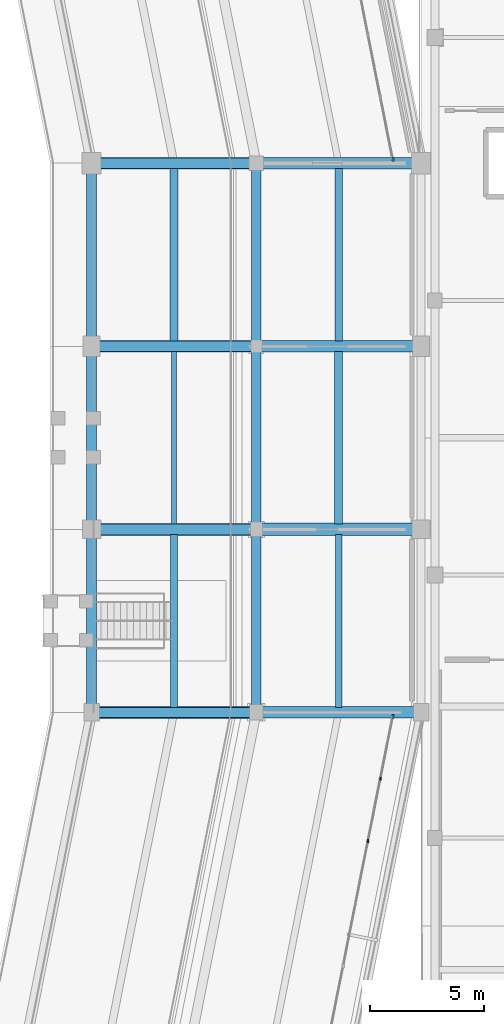
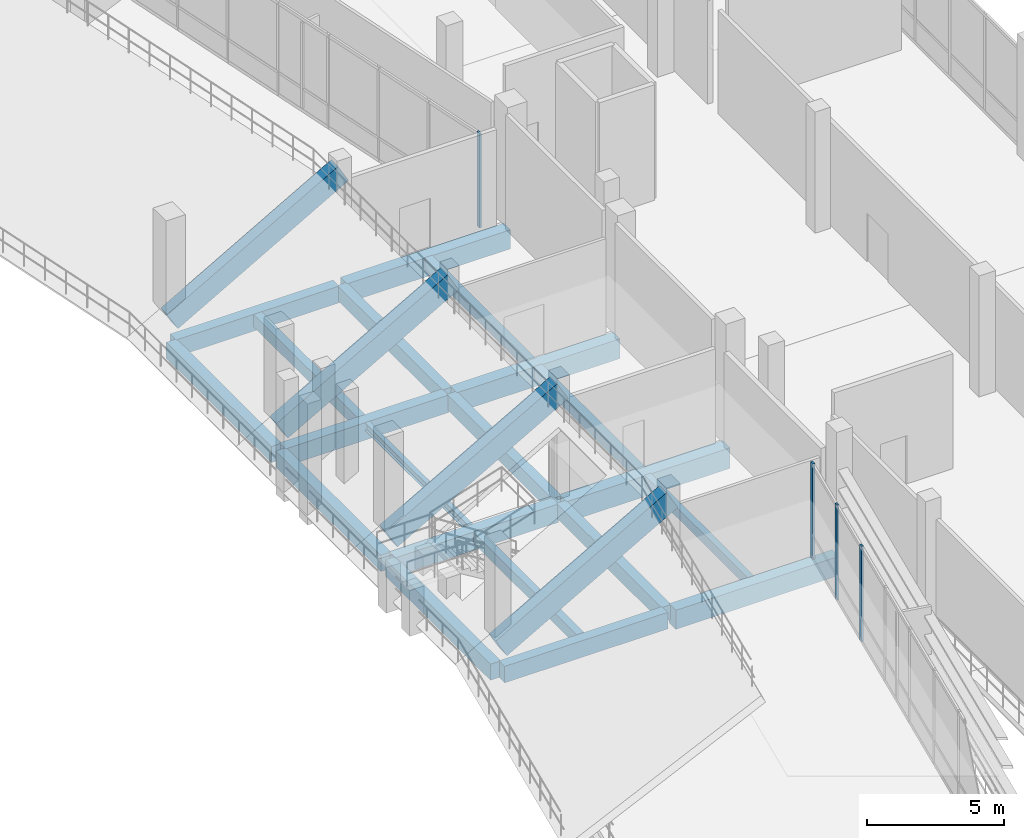
# One storey, part 41 of 127: 24 beams, 4 members, 2 elements without a shape of their own.
"""IFC4 building model written with IfcOpenShell, lengths in metres."""

from ifc_helpers import new_model, si_unit, direction, frame, origin, origin_2d, place, context, subcontext, project, spatial, rectangle, i_section, extrude, material, material_profile, profile_set, type_object, element, aggregate, save


model = new_model("IFC4")

# Units and contexts
model_context = context("Model", 3, precision=1e-05, world=origin(), true_north=direction((0.0, 1.0)))
body_context = subcontext(model_context, "Body", "Model", "MODEL_VIEW")
ifc_project = project(units=[si_unit("LENGTHUNIT", "METRE"), si_unit("AREAUNIT", "SQUARE_METRE"), si_unit("VOLUMEUNIT", "CUBIC_METRE"), si_unit("PLANEANGLEUNIT", "RADIAN"), si_unit("MASSUNIT", "GRAM", prefix="KILO")], contexts=[model_context])

# Site, building, storey
site_placement = place(None, origin())
site = spatial("IfcSite", under=ifc_project, at=site_placement, CompositionType="ELEMENT")
building_placement = place(site_placement, origin())
building = spatial("IfcBuilding", under=site, at=building_placement, Name="Candeia Ridge Stadium", CompositionType="ELEMENT")
storey_placement = place(building_placement, frame((0.0, 0.0, 10.800048828125)))
storey = spatial("IfcBuildingStorey", under=building, at=storey_placement, Name="L02", CompositionType="ELEMENT", Elevation=10.800048828125)

# Beams
ifc_material_1 = material(Name="Concrete C45/55", Category="concrete")
ifc_material_profile_1 = material_profile(ifc_material_1, rectangle(XDim=0.449951171875, YDim=0.75, at=origin_2d()), Name="RC450x750", Category="concrete")
ifc_profile_set_1 = profile_set([ifc_material_profile_1], Name="Concrete C45/55")
beam_type_1 = type_object("IfcBeamType", Name="Bowl Radial Girder RC450x750", PredefinedType="BEAM", material=ifc_profile_set_1)
beam_1_placement = place(storey_placement, frame((178.760009765625, 95.0, -0.635009765625), z_axis=(1.0, 0.0, 0.0), x_axis=(0.0, 1.0, 0.0)))
element("IfcBeam", 1, at=beam_1_placement, inside=storey, type_object=beam_type_1, Name="Bowl radial girder BM-L02-0305", PredefinedType="BEAM", context=body_context, shape_type="SweptSolid", body=[
    extrude(rectangle(XDim=0.449951171875, YDim=0.75, at=origin_2d()), origin(), (0.0, 0.0, 1.0), 6.8798828125),
])
ifc_material_profile_2 = material_profile(ifc_material_1, rectangle(XDim=0.5, YDim=0.89990234375, at=origin_2d()), Name="RC500x900", Category="concrete")
ifc_profile_set_2 = profile_set([ifc_material_profile_2], Name="Concrete C45/55")
beam_type_2 = type_object("IfcBeamType", Name="Club Stand Raker Beam RC500x900", PredefinedType="USERDEFINED", material=ifc_profile_set_2)
beam_2_placement = place(storey_placement, frame((178.60009765625, 95.0, 0.624267578125), z_axis=(0.869244421404, 0.0, 0.494382580455), x_axis=(0.0, 1.0, 0.0)))
element("IfcBeam", 2, at=beam_2_placement, inside=storey, type_object=beam_type_2, Name="Stand T2 inclined concrete raker beam 33", ObjectType="RAKER", PredefinedType="USERDEFINED", context=body_context, shape_type="SweptSolid", body=[
    extrude(rectangle(XDim=0.5, YDim=0.89990234375, at=origin_2d()), origin(), (0.0, 0.0, 1.0), 8.282958984375),
])
ifc_material_2 = material(Name="Concrete C40/50", Category="concrete")
ifc_material_profile_3 = material_profile(ifc_material_2, rectangle(XDim=0.35009765625, YDim=0.550048828125, at=origin_2d()), Name="RC350x550", Category="concrete")
ifc_profile_set_3 = profile_set([ifc_material_profile_3], Name="Concrete C40/50")
beam_type_3 = type_object("IfcBeamType", Name="Concourse Concrete Joist RC350x550", PredefinedType="JOIST", material=ifc_profile_set_3)
beam_3_placement = place(storey_placement, frame((182.199951171875, 87.221923828125, -0.53515625), z_axis=(0.0, 1.0, 0.0), x_axis=(-1.0, 0.0, 0.0)))
element("IfcBeam", 3, at=beam_3_placement, inside=storey, type_object=beam_type_3, Name="Concourse secondary joist BM-L02-0460", PredefinedType="JOIST", context=body_context, shape_type="SweptSolid", body=[
    extrude(rectangle(XDim=0.35009765625, YDim=0.550048828125, at=origin_2d()), origin(), (0.0, 0.0, 1.0), 7.55615234375),
])
ifc_material_3 = material(Name="Steel ASTM A572 Grade 50", Category="steel")
ifc_material_profile_4 = material_profile(ifc_material_3, i_section(OverallWidth=0.205078125, OverallDepth=0.35400390625, WebThickness=0.009521484375, FlangeThickness=0.016845703125, FilletRadius=0.014892578125, at=origin_2d()), Name="W360x79", Category="steel")
ifc_profile_set_4 = profile_set([ifc_material_profile_4], Name="Steel ASTM A572 Grade 50")
beam_type_4 = type_object("IfcBeamType", Name="Concourse Secondary Joist W360x79", PredefinedType="JOIST", material=ifc_profile_set_4)
beam_4_placement = place(storey_placement, frame((182.199951171875, 79.221923828125, -0.43701171875), z_axis=(0.0, 1.0, 0.0), x_axis=(-1.0, 0.0, 0.0)))
element("IfcBeam", 4, at=beam_4_placement, inside=storey, type_object=beam_type_4, Name="Concourse secondary joist BM-L02-0455", PredefinedType="JOIST", context=body_context, shape_type="SweptSolid", body=[
    extrude(i_section(OverallWidth=0.205078125, OverallDepth=0.35400390625, WebThickness=0.009521484375, FlangeThickness=0.016845703125, FilletRadius=0.014892578125, at=origin_2d()), origin(), (0.0, 0.0, 1.0), 7.55615234375),
])

# Curtain wall, member
ifc_material_4 = material(Name="Aluminium Anodized Warm Bronze", Category="aluminium")
curtain_wall_type = type_object("IfcCurtainWallType", Name="Concourse Recessed Unitised Curtain Wall", PredefinedType="NOTDEFINED", material=ifc_material_4)
curtain_wall_1_placement = place(storey_placement, origin())
curtain_wall_1 = element("IfcCurtainWall", 5, at=curtain_wall_1_placement, inside=storey, type_object=curtain_wall_type, Name="Unitised curtain wall CW-BWL-L02-28", PredefinedType="NOTDEFINED")
ifc_material_profile_5 = material_profile(ifc_material_4, rectangle(XDim=0.090087890625, YDim=0.179931640625, at=origin_2d()), Name="CWM-90x180", Category="aluminium")
ifc_profile_set_5 = profile_set([ifc_material_profile_5], Name="Aluminium Anodized Warm Bronze")
member_type_1 = type_object("IfcMemberType", Name="Curtain Wall Primary Mullion 90x180", PredefinedType="MULLION", material=ifc_profile_set_5)
member_1_placement = place(storey_placement, frame((191.764892578125, 70.823486328125, 0.0), z_axis=(0.0, 0.0, 1.0), x_axis=(1.0, 0.0, 0.0)))
member_1 = element("IfcMember", 6, at=member_1_placement, type_object=member_type_1, Name="Curtain wall mullion CW-BWL-L02-28-M7", PredefinedType="MULLION", context=body_context, shape_type="SweptSolid", body=[
    extrude(rectangle(XDim=0.090087890625, YDim=0.179931640625, at=origin_2d()), origin(), (0.0, 0.0, 1.0), 4.2548828125),
])

curtain_wall_2_placement = place(storey_placement, origin())
curtain_wall_2 = element("IfcCurtainWall", 7, at=curtain_wall_2_placement, inside=storey, type_object=curtain_wall_type, Name="Unitised curtain wall CW-BWL-L02-32", PredefinedType="NOTDEFINED")
member_2_placement = place(storey_placement, frame((191.764892578125, 95.176513671875, 0.0), z_axis=(0.0, 0.0, 1.0), x_axis=(1.0, 0.0, 0.0)))
member_2 = element("IfcMember", 8, at=member_2_placement, type_object=member_type_1, Name="Curtain wall mullion CW-BWL-L02-32-M0", PredefinedType="MULLION", context=body_context, shape_type="SweptSolid", body=[
    extrude(rectangle(XDim=0.090087890625, YDim=0.179931640625, at=origin_2d()), origin(), (0.0, 0.0, 1.0), 4.21484375),
])
aggregate(curtain_wall_2, [member_2])

# Member
ifc_material_profile_6 = material_profile(ifc_material_4, rectangle(XDim=0.074951171875, YDim=0.14990234375, at=origin_2d()), Name="CWM-75x150", Category="aluminium")
ifc_profile_set_6 = profile_set([ifc_material_profile_6], Name="Aluminium Anodized Warm Bronze")
member_type_2 = type_object("IfcMemberType", Name="Curtain Wall Secondary Mullion 75x150", PredefinedType="MULLION", material=ifc_profile_set_6)
member_3_placement = place(storey_placement, frame((190.68017578125, 65.3701171875, 0.0), z_axis=(0.0, 0.0, 1.0), x_axis=(1.0, 0.0, 0.0)))
member_3 = element("IfcMember", 9, at=member_3_placement, type_object=member_type_2, Name="Curtain wall mullion CW-BWL-L02-28-M5", PredefinedType="MULLION", context=body_context, shape_type="SweptSolid", body=[
    extrude(rectangle(XDim=0.074951171875, YDim=0.14990234375, at=origin_2d()), origin(), (0.0, 0.0, 1.0), 4.2548828125),
])

member_4_placement = place(storey_placement, frame((191.222412109375, 68.0966796875, 0.0), z_axis=(0.0, 0.0, 1.0), x_axis=(1.0, 0.0, 0.0)))
member_4 = element("IfcMember", 10, at=member_4_placement, type_object=member_type_2, Name="Curtain wall mullion CW-BWL-L02-28-M6", PredefinedType="MULLION", context=body_context, shape_type="SweptSolid", body=[
    extrude(rectangle(XDim=0.074951171875, YDim=0.14990234375, at=origin_2d()), origin(), (0.0, 0.0, 1.0), 4.2548828125),
])

aggregate(curtain_wall_1, [member_3, member_4, member_1])

# Beams
ifc_material_profile_7 = material_profile(ifc_material_2, rectangle(XDim=0.27001953125, YDim=0.43994140625, at=origin_2d()), Name="RC270x440", Category="concrete")
ifc_profile_set_7 = profile_set([ifc_material_profile_7], Name="Concrete C40/50")
beam_type_5 = type_object("IfcBeamType", Name="Floor Joist RC270x440", PredefinedType="JOIST", material=ifc_profile_set_7)
beam_5_placement = place(storey_placement, frame((189.39990234375, 71.221923828125, -0.47998046875), z_axis=(0.0, 1.0, 0.0), x_axis=(-1.0, 0.0, 0.0)))
element("IfcBeam", 11, at=beam_5_placement, inside=storey, type_object=beam_type_5, Name="Concourse secondary joist BM-L02-0451", PredefinedType="JOIST", context=body_context, shape_type="SweptSolid", body=[
    extrude(rectangle(XDim=0.27001953125, YDim=0.43994140625, at=origin_2d()), origin(), (0.0, 0.0, 1.0), 7.55615234375),
])
ifc_material_profile_8 = material_profile(ifc_material_2, rectangle(XDim=0.31005859375, YDim=0.489990234375, at=origin_2d()), Name="RC310x490", Category="concrete")
ifc_profile_set_8 = profile_set([ifc_material_profile_8], Name="Concrete C40/50")
beam_type_6 = type_object("IfcBeamType", Name="Floor Joist RC310x490", PredefinedType="JOIST", material=ifc_profile_set_8)
beam_6_placement = place(storey_placement, frame((182.199951171875, 71.221923828125, -0.505126953125), z_axis=(0.0, 1.0, 0.0), x_axis=(-1.0, 0.0, 0.0)))
element("IfcBeam", 12, at=beam_6_placement, inside=storey, type_object=beam_type_6, Name="Concourse secondary joist BM-L02-0450", PredefinedType="JOIST", context=body_context, shape_type="SweptSolid", body=[
    extrude(rectangle(XDim=0.31005859375, YDim=0.489990234375, at=origin_2d()), origin(), (0.0, 0.0, 1.0), 7.55615234375),
])
ifc_material_profile_9 = material_profile(ifc_material_2, rectangle(XDim=0.320068359375, YDim=0.47998046875, at=origin_2d()), Name="RC320x480", Category="concrete")
ifc_profile_set_9 = profile_set([ifc_material_profile_9], Name="Concrete C40/50")
beam_type_7 = type_object("IfcBeamType", Name="Floor Joist RC320x480", PredefinedType="JOIST", material=ifc_profile_set_9)
beam_7_placement = place(storey_placement, frame((189.39990234375, 87.221923828125, -0.5), z_axis=(0.0, 1.0, 0.0), x_axis=(-1.0, 0.0, 0.0)))
element("IfcBeam", 13, at=beam_7_placement, inside=storey, type_object=beam_type_7, Name="Concourse secondary joist BM-L02-0461", PredefinedType="JOIST", context=body_context, shape_type="SweptSolid", body=[
    extrude(rectangle(XDim=0.320068359375, YDim=0.47998046875, at=origin_2d()), origin(), (0.0, 0.0, 1.0), 7.55615234375),
])
ifc_material_profile_10 = material_profile(ifc_material_2, rectangle(XDim=0.35009765625, YDim=0.5, at=origin_2d()), Name="RC350x500", Category="concrete")
ifc_profile_set_10 = profile_set([ifc_material_profile_10], Name="Concrete C40/50")
beam_type_8 = type_object("IfcBeamType", Name="Floor Joist RC350x500", PredefinedType="JOIST", material=ifc_profile_set_10)
beam_8_placement = place(storey_placement, frame((189.39990234375, 79.221923828125, -0.510009765625), z_axis=(0.0, 1.0, 0.0), x_axis=(-1.0, 0.0, 0.0)))
element("IfcBeam", 14, at=beam_8_placement, inside=storey, type_object=beam_type_8, Name="Concourse secondary joist BM-L02-0456", PredefinedType="JOIST", context=body_context, shape_type="SweptSolid", body=[
    extrude(rectangle(XDim=0.35009765625, YDim=0.5, at=origin_2d()), origin(), (0.0, 0.0, 1.0), 7.55615234375),
])
ifc_material_profile_11 = material_profile(ifc_material_2, rectangle(XDim=0.409912109375, YDim=0.659912109375, at=origin_2d()), Name="RC410x660", Category="concrete")
ifc_profile_set_11 = profile_set([ifc_material_profile_11], Name="Concrete C40/50")
beam_type_9 = type_object("IfcBeamType", Name="Frame Girder RC410x660", PredefinedType="BEAM", material=ifc_profile_set_11)
for number, where, z_axis, x_axis, name in (
    (15, (185.800048828125, 71.159912109375, -0.590087890625), (0.0, 1.0, 0.0), (-1.0, 0.0, 0.0), "Concourse spine girder BM-L02-0448"),
    (16, (185.800048828125, 79.159912109375, -0.590087890625), (0.0, 1.0, 0.0), (-1.0, 0.0, 0.0), "Concourse spine girder BM-L02-0453"),
    (17, (185.800048828125, 87.159912109375, -0.590087890625), (0.0, 1.0, 0.0), (-1.0, 0.0, 0.0), "Concourse spine girder BM-L02-0458"),
):
    element("IfcBeam", number, at=place(storey_placement, frame(where, z_axis=z_axis, x_axis=x_axis)), inside=storey, type_object=beam_type_9, Name=name, PredefinedType="BEAM", context=body_context, shape_type="SweptSolid", body=[
        extrude(rectangle(XDim=0.409912109375, YDim=0.659912109375, at=origin_2d()), origin(), (0.0, 0.0, 1.0), 7.68017578125),
    ])
ifc_material_profile_12 = material_profile(ifc_material_2, rectangle(XDim=0.429931640625, YDim=0.739990234375, at=origin_2d()), Name="RC430x740", Category="concrete")
ifc_profile_set_12 = profile_set([ifc_material_profile_12], Name="Concrete C40/50")
beam_type_10 = type_object("IfcBeamType", Name="Frame Girder RC430x740", PredefinedType="BEAM", material=ifc_profile_set_12)
beam_9_placement = place(storey_placement, frame((178.760009765625, 71.0, -0.630126953125), z_axis=(1.0, 0.0, 0.0), x_axis=(0.0, 1.0, 0.0)))
element("IfcBeam", 18, at=beam_9_placement, inside=storey, type_object=beam_type_10, Name="Bowl radial girder BM-L02-0299", PredefinedType="BEAM", context=body_context, shape_type="SweptSolid", body=[
    extrude(rectangle(XDim=0.429931640625, YDim=0.739990234375, at=origin_2d()), origin(), (0.0, 0.0, 1.0), 6.8798828125),
])
ifc_material_profile_13 = material_profile(ifc_material_2, rectangle(XDim=0.43994140625, YDim=0.719970703125, at=origin_2d()), Name="RC440x720", Category="concrete")
ifc_profile_set_13 = profile_set([ifc_material_profile_13], Name="Concrete C40/50")
beam_type_11 = type_object("IfcBeamType", Name="Frame Girder RC440x720", PredefinedType="BEAM", material=ifc_profile_set_13)
for number, where, z_axis, x_axis, name in (
    (19, (178.60009765625, 71.159912109375, -0.6201171875), (0.0, 1.0, 0.0), (-1.0, 0.0, 0.0), "Bowl inner ring girder BM-L02-0447"),
    (20, (178.60009765625, 79.159912109375, -0.6201171875), (0.0, 1.0, 0.0), (-1.0, 0.0, 0.0), "Bowl inner ring girder BM-L02-0452"),
    (21, (178.60009765625, 87.159912109375, -0.6201171875), (0.0, 1.0, 0.0), (-1.0, 0.0, 0.0), "Bowl inner ring girder BM-L02-0457"),
):
    element("IfcBeam", number, at=place(storey_placement, frame(where, z_axis=z_axis, x_axis=x_axis)), inside=storey, type_object=beam_type_11, Name=name, PredefinedType="BEAM", context=body_context, shape_type="SweptSolid", body=[
        extrude(rectangle(XDim=0.43994140625, YDim=0.719970703125, at=origin_2d()), origin(), (0.0, 0.0, 1.0), 7.68017578125),
    ])
ifc_material_profile_14 = material_profile(ifc_material_2, rectangle(XDim=0.4599609375, YDim=0.780029296875, at=origin_2d()), Name="RC460x780", Category="concrete")
ifc_profile_set_14 = profile_set([ifc_material_profile_14], Name="Concrete C40/50")
beam_type_12 = type_object("IfcBeamType", Name="Frame Girder RC460x780", PredefinedType="BEAM", material=ifc_profile_set_14)
beam_10_placement = place(storey_placement, frame((178.760009765625, 87.0, -0.650146484375), z_axis=(1.0, 0.0, 0.0), x_axis=(0.0, 1.0, 0.0)))
element("IfcBeam", 22, at=beam_10_placement, inside=storey, type_object=beam_type_12, Name="Bowl radial girder BM-L02-0303", PredefinedType="BEAM", context=body_context, shape_type="SweptSolid", body=[
    extrude(rectangle(XDim=0.4599609375, YDim=0.780029296875, at=origin_2d()), origin(), (0.0, 0.0, 1.0), 6.8798828125),
])
ifc_material_profile_15 = material_profile(ifc_material_1, rectangle(XDim=0.47998046875, YDim=0.820068359375, at=origin_2d()), Name="RC480x820", Category="concrete")
ifc_profile_set_15 = profile_set([ifc_material_profile_15], Name="Concrete C45/55")
beam_type_13 = type_object("IfcBeamType", Name="Frame Girder RC480x820", PredefinedType="BEAM", material=ifc_profile_set_15)
beam_11_placement = place(storey_placement, frame((178.760009765625, 79.0, -0.670166015625), z_axis=(1.0, 0.0, 0.0), x_axis=(0.0, 1.0, 0.0)))
element("IfcBeam", 23, at=beam_11_placement, inside=storey, type_object=beam_type_13, Name="Bowl radial girder BM-L02-0301", PredefinedType="BEAM", context=body_context, shape_type="SweptSolid", body=[
    extrude(rectangle(XDim=0.47998046875, YDim=0.820068359375, at=origin_2d()), origin(), (0.0, 0.0, 1.0), 6.8798828125),
])
ifc_material_profile_16 = material_profile(ifc_material_1, rectangle(XDim=0.5, YDim=0.85009765625, at=origin_2d()), Name="RC500x850", Category="concrete")
ifc_profile_set_16 = profile_set([ifc_material_profile_16], Name="Concrete C45/55")
beam_type_14 = type_object("IfcBeamType", Name="Frame Girder RC500x850", PredefinedType="BEAM", material=ifc_profile_set_16)
for number, where, z_axis, x_axis, name in (
    (24, (185.9599609375, 71.0, -0.68505859375), (1.0, 0.0, 0.0), (0.0, 1.0, 0.0), "Bowl radial girder BM-L02-0300"),
    (25, (185.9599609375, 95.0, -0.68505859375), (1.0, 0.0, 0.0), (0.0, 1.0, 0.0), "Bowl radial girder BM-L02-0306"),
):
    element("IfcBeam", number, at=place(storey_placement, frame(where, z_axis=z_axis, x_axis=x_axis)), inside=storey, type_object=beam_type_14, Name=name, PredefinedType="BEAM", context=body_context, shape_type="SweptSolid", body=[
        extrude(rectangle(XDim=0.5, YDim=0.85009765625, at=origin_2d()), origin(), (0.0, 0.0, 1.0), 6.880126953125),
    ])
ifc_material_profile_17 = material_profile(ifc_material_1, rectangle(XDim=0.52001953125, YDim=0.8798828125, at=origin_2d()), Name="RC520x880", Category="concrete")
ifc_profile_set_17 = profile_set([ifc_material_profile_17], Name="Concrete C45/55")
beam_type_15 = type_object("IfcBeamType", Name="Frame Girder RC520x880", PredefinedType="BEAM", material=ifc_profile_set_17)
beam_12_placement = place(storey_placement, frame((185.9599609375, 87.0, -0.699951171875), z_axis=(1.0, 0.0, 0.0), x_axis=(0.0, 1.0, 0.0)))
element("IfcBeam", 26, at=beam_12_placement, inside=storey, type_object=beam_type_15, Name="Bowl radial girder BM-L02-0304", PredefinedType="BEAM", context=body_context, shape_type="SweptSolid", body=[
    extrude(rectangle(XDim=0.52001953125, YDim=0.8798828125, at=origin_2d()), origin(), (0.0, 0.0, 1.0), 6.880126953125),
])
ifc_material_profile_18 = material_profile(ifc_material_1, rectangle(XDim=0.550048828125, YDim=0.919921875, at=origin_2d()), Name="RC550x920", Category="concrete")
ifc_profile_set_18 = profile_set([ifc_material_profile_18], Name="Concrete C45/55")
beam_type_16 = type_object("IfcBeamType", Name="Frame Girder RC550x920", PredefinedType="BEAM", material=ifc_profile_set_18)
beam_13_placement = place(storey_placement, frame((185.9599609375, 79.0, -0.719970703125), z_axis=(1.0, 0.0, 0.0), x_axis=(0.0, 1.0, 0.0)))
element("IfcBeam", 27, at=beam_13_placement, inside=storey, type_object=beam_type_16, Name="Bowl radial girder BM-L02-0302", PredefinedType="BEAM", context=body_context, shape_type="SweptSolid", body=[
    extrude(rectangle(XDim=0.550048828125, YDim=0.919921875, at=origin_2d()), origin(), (0.0, 0.0, 1.0), 6.880126953125),
])
ifc_material_profile_19 = material_profile(ifc_material_1, rectangle(XDim=0.52001953125, YDim=0.949951171875, at=origin_2d()), Name="RC520x950", Category="concrete")
ifc_profile_set_19 = profile_set([ifc_material_profile_19], Name="Concrete C45/55")
beam_type_17 = type_object("IfcBeamType", Name="Stand Raker Beam RC520x950", PredefinedType="USERDEFINED", material=ifc_profile_set_19)
for number, where, z_axis, x_axis, name in (
    (28, (178.60009765625, 71.0, 0.624267578125), (0.869244421404, 0.0, 0.494382580455), (0.0, 1.0, 0.0), "Stand T2 inclined concrete raker beam 30"),
    (29, (178.60009765625, 79.0, 0.624267578125), (0.869244421404, 0.0, 0.494382580455), (0.0, 1.0, 0.0), "Stand T2 inclined concrete raker beam 31"),
    (30, (178.60009765625, 87.0, 0.624267578125), (0.869244421404, 0.0, 0.494382580455), (0.0, 1.0, 0.0), "Stand T2 inclined concrete raker beam 32"),
):
    element("IfcBeam", number, at=place(storey_placement, frame(where, z_axis=z_axis, x_axis=x_axis)), inside=storey, type_object=beam_type_17, Name=name, ObjectType="RAKER", PredefinedType="USERDEFINED", context=body_context, shape_type="SweptSolid", body=[
        extrude(rectangle(XDim=0.52001953125, YDim=0.949951171875, at=origin_2d()), origin(), (0.0, 0.0, 1.0), 8.282958984375),
    ])

save(model, "model.ifc")
